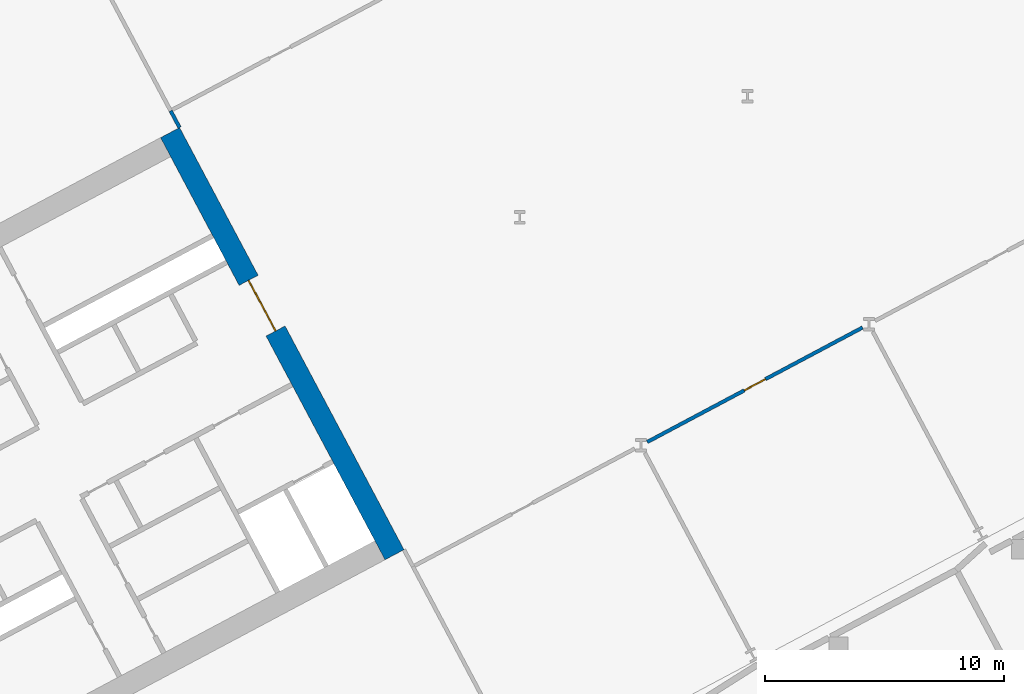
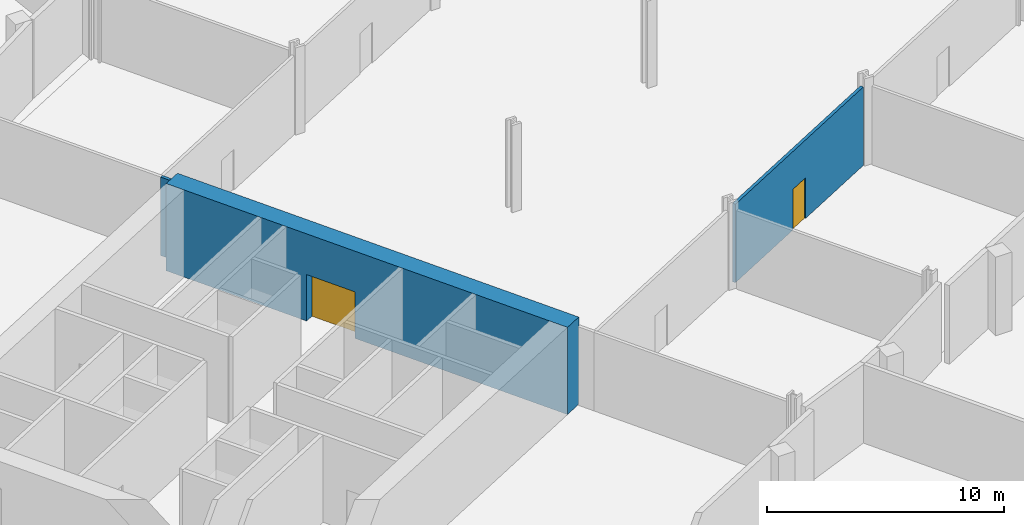
# One storey, part 14 of 27: 3 walls, 2 doors, 2 openings.
"""IFC4 building model written with IfcOpenShell, lengths in metres."""

from ifc_helpers import new_model, si_unit, direction, frame, frame_2d, origin, place, context, subcontext, project, spatial, rectangle, extrude, material, layer, layer_set, type_object, element, fill, save


model = new_model("IFC4")

# Units and contexts
model_context = context("Model", 3, precision=1e-05, world=origin(), true_north=direction((0.0, 1.0)))
body_context = subcontext(model_context, "Body", "Model", "MODEL_VIEW")
ifc_project = project(units=[si_unit("LENGTHUNIT", "METRE"), si_unit("AREAUNIT", "SQUARE_METRE"), si_unit("VOLUMEUNIT", "CUBIC_METRE"), si_unit("PLANEANGLEUNIT", "RADIAN"), si_unit("MASSUNIT", "GRAM", prefix="KILO")], contexts=[model_context])

# Site, building, storey
site_placement = place(None, origin())
site = spatial("IfcSite", under=ifc_project, at=site_placement, CompositionType="ELEMENT")
building_placement = place(site_placement, origin())
building = spatial("IfcBuilding", under=site, at=building_placement, Name="Cormorant Relay Tower", CompositionType="ELEMENT")
storey_placement = place(building_placement, frame((0.0, 0.0, -4.5)))
storey = spatial("IfcBuildingStorey", under=building, at=storey_placement, Name="B1", CompositionType="ELEMENT", Elevation=-4.5)

# Wall, opening, door
ifc_material_1 = material(Name="Concrete 70 MPa", Category="concrete")
ifc_layer_1 = layer(ifc_material_1, 0.89990234375)
ifc_layer_set_1 = layer_set([ifc_layer_1], Name="Core wall 900")
wall_type_1 = type_object("IfcWallType", Name="Core wall 900", PredefinedType="SHEAR", material=ifc_layer_set_1)
wall_1_placement = place(storey_placement, frame((37.849365234375, 8.799072265625, 0.0), z_axis=(0.0, 0.0, 1.0), x_axis=(-0.469465789982, 0.882950662289, 0.0)))
wall_1 = element("IfcWall", 1, at=wall_1_placement, inside=storey, type_object=wall_type_1, Name="B1 core B wall", PredefinedType="SHEAR", context=body_context, shape_type="SweptSolid", body=[
    extrude(rectangle(XDim=20.000244140625, YDim=0.89990234375, at=frame_2d((10.0, 0.0))), origin(), (0.0, 0.0, 1.0), 4.5),
])
opening_1_placement = place(wall_1_placement, frame((10.60009765625, 0.0, 0.0)))
opening_1 = element("IfcOpeningElement", 2, at=opening_1_placement, cuts=wall_1, Name="Opening CDA-004", PredefinedType="OPENING", context=body_context, shape_type="SweptSolid", body=[
    extrude(rectangle(XDim=2.39990234375, YDim=2.39990234375, at=frame_2d((1.199951171875, 1.199951171875))), frame((0.0, 0.4599609375, 0.0), z_axis=(0.0, -1.0, 0.0), x_axis=(1.0, 0.0, 0.0)), (0.0, 0.0, 1.0), 0.919921875),
])
ifc_material_2 = material(Name="Steel fire door", Category="steel")
door_type_1 = type_object("IfcDoorType", Name="Core lobby door 2400x2400", OperationType="DOUBLE_DOOR_SINGLE_SWING", PredefinedType="DOOR", material=ifc_material_2)
door_1_placement = place(opening_1_placement, origin())
door_1 = element("IfcDoor", 3, at=door_1_placement, inside=storey, type_object=door_type_1, Name="Core lobby door 2400x2400", OperationType="DOUBLE_DOOR_SINGLE_SWING", OverallHeight=2.39990234375, OverallWidth=2.39990234375, PredefinedType="DOOR", context=body_context, shape_type="SweptSolid", body=[
    extrude(rectangle(XDim=2.39990234375, YDim=2.39990234375, at=frame_2d((1.199951171875, 1.199951171875))), frame((0.0, 0.02490234375, 0.0), z_axis=(0.0, -1.0, 0.0), x_axis=(1.0, 0.0, 0.0)), (0.0, 0.0, 1.0), 0.050048828125),
])
fill(opening_1, door_1)

ifc_material_3 = material(Name="Gypsum board on steel stud", Category="steel")
ifc_layer_2 = layer(ifc_material_3, 0.14990234375)
ifc_layer_set_2 = layer_set([ifc_layer_2], Name="Partition 150")
wall_type_2 = type_object("IfcWallType", Name="Partition 150", PredefinedType="PARTITIONING", material=ifc_layer_set_2)
wall_2_placement = place(storey_placement, frame((48.420654296875, 13.513916015625, 0.0), z_axis=(0.0, 0.0, 1.0), x_axis=(0.882940965658, 0.469484026526, 0.0)))
wall_2 = element("IfcWall", 4, at=wall_2_placement, inside=storey, type_object=wall_type_2, Name="Partition", PredefinedType="PARTITIONING", context=body_context, shape_type="SweptSolid", body=[
    extrude(rectangle(XDim=10.205322265625, YDim=0.14990234375, at=frame_2d((5.1025390625, 0.0))), origin(), (0.0, 0.0, 1.0), 4.050048828125),
])
opening_2_placement = place(wall_2_placement, frame((4.6025390625, 0.0, 0.0)))
opening_2 = element("IfcOpeningElement", 5, at=opening_2_placement, cuts=wall_2, Name="Opening PD1-051", PredefinedType="OPENING", context=body_context, shape_type="SweptSolid", body=[
    extrude(rectangle(XDim=1.0, YDim=2.10009765625, at=frame_2d((0.5, 1.050048828125))), frame((0.0, 0.0849609375, 0.0), z_axis=(0.0, -1.0, 0.0), x_axis=(1.0, 0.0, 0.0)), (0.0, 0.0, 1.0), 0.169921875),
])
ifc_material_4 = material(Name="Steel door leaf", Category="steel")
door_type_2 = type_object("IfcDoorType", Name="Door single 1000", OperationType="SINGLE_SWING_LEFT", PredefinedType="DOOR", material=ifc_material_4)
door_2_placement = place(opening_2_placement, frame((1.0, 0.0, 0.0), z_axis=(0.0, 0.0, 1.0), x_axis=(-1.0, 0.0, 0.0)))
door_2 = element("IfcDoor", 6, at=door_2_placement, inside=storey, type_object=door_type_2, Name="Door", OperationType="SINGLE_SWING_RIGHT", OverallHeight=2.10009765625, OverallWidth=1.0, PredefinedType="DOOR", context=body_context, shape_type="SweptSolid", body=[
    extrude(rectangle(XDim=1.0, YDim=2.10009765625, at=frame_2d((0.5, 1.050048828125))), frame((0.0, 0.02490234375, 0.0), z_axis=(0.0, -1.0, 0.0), x_axis=(1.0, 0.0, 0.0)), (0.0, 0.0, 1.0), 0.050048828125),
])
fill(opening_2, door_2)

# Wall
wall_3_placement = place(storey_placement, frame((28.484619140625, 27.37060546875, 0.0), z_axis=(0.0, 0.0, 1.0), x_axis=(0.469454908155, -0.882956448082, 0.0)))
element("IfcWall", 7, at=wall_3_placement, inside=storey, type_object=wall_type_2, Name="Partition", PredefinedType="PARTITIONING", context=body_context, shape_type="SweptSolid", body=[
    extrude(rectangle(XDim=0.794189453125, YDim=0.14990234375, at=frame_2d((0.39697265625, 0.0))), origin(), (0.0, 0.0, 1.0), 4.050048828125),
])

save(model, "model.ifc")
